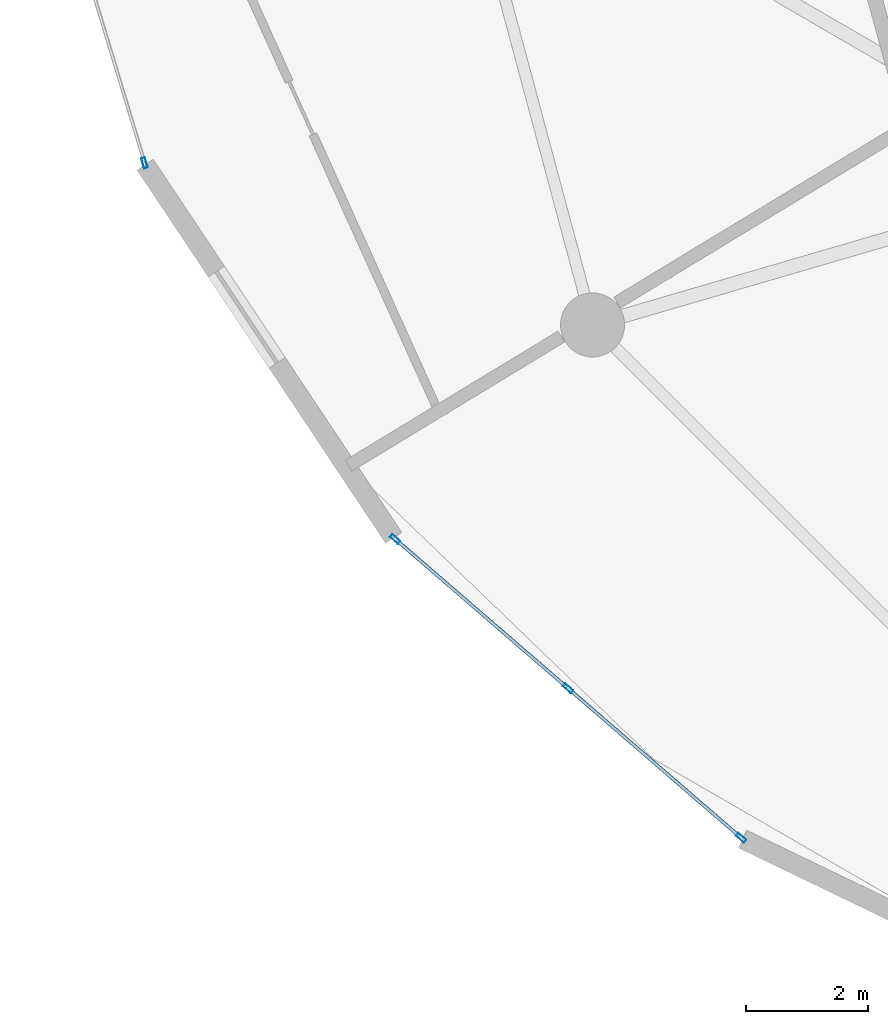
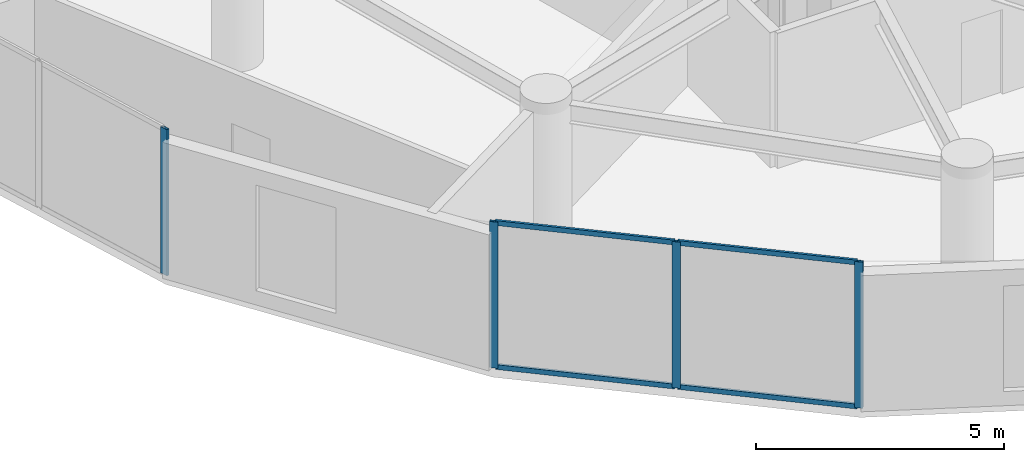
# One storey, part 2 of 26: 8 members, 2 elements without a shape of their own.
"""IFC4 building model written with IfcOpenShell, lengths in metres."""

from ifc_helpers import new_model, si_unit, direction, frame, origin, origin_2d, place, context, subcontext, project, spatial, hollow_rectangle, extrude, source, transform, mapped, material, layer, layer_set, material_profile, profile_set, type_object, element, aggregate, save


model = new_model("IFC4")

# Units and contexts
model_context = context("Model", 3, precision=1e-05, world=origin(), true_north=direction((0.0, 1.0)))
body_context = subcontext(model_context, "Body", "Model", "MODEL_VIEW")
ifc_project = project(units=[si_unit("LENGTHUNIT", "METRE"), si_unit("AREAUNIT", "SQUARE_METRE"), si_unit("VOLUMEUNIT", "CUBIC_METRE"), si_unit("PLANEANGLEUNIT", "RADIAN"), si_unit("MASSUNIT", "GRAM", prefix="KILO")], contexts=[model_context])

# Site, building, storey
site_placement = place(None, origin())
site = spatial("IfcSite", under=ifc_project, at=site_placement, CompositionType="ELEMENT")
building_placement = place(site_placement, origin())
building = spatial("IfcBuilding", under=site, at=building_placement, Name="Solvirekh Grand Hotel", CompositionType="ELEMENT")
storey_placement = place(building_placement, frame((0.0, 0.0, 113.39990234375)))
storey = spatial("IfcBuildingStorey", under=building, at=storey_placement, Name="L28", CompositionType="ELEMENT", Elevation=113.39990234375)

# Curtain wall, member
ifc_material = material(Name="Anodized Bronze Aluminium 6063-T6", Category="aluminium")
ifc_layer = layer(ifc_material, 0.175048828125)
ifc_layer_set = layer_set([ifc_layer], Name="Anodized Bronze Aluminium 6063-T6")
curtain_wall_type = type_object("IfcCurtainWallType", Name="CW_Sys3_MidZoneFlushBronzeCW", PredefinedType="NOTDEFINED", material=ifc_layer_set)
curtain_wall_1_placement = place(storey_placement, origin())
curtain_wall_1 = element("IfcCurtainWall", 1, at=curtain_wall_1_placement, inside=storey, type_object=curtain_wall_type, Name="L28 unitised bronze-glass curtain wall CW-L28-C13", PredefinedType="NOTDEFINED")
ifc_material_profile_1 = material_profile(ifc_material, hollow_rectangle(XDim=0.06494140625, YDim=0.175048828125, WallThickness=0.0048828125, at=origin_2d()), Name="ALU RHS 175X65X5")
ifc_profile_set_1 = profile_set([ifc_material_profile_1], Name="Anodized Bronze Aluminium 6063-T6")
member_type_1 = type_object("IfcMemberType", Name="CWMullion_Sys3", PredefinedType="MULLION", material=ifc_profile_set_1)
shared_shape_1 = source(origin(), body_context, "Body", "SweptSolid", [
    extrude(hollow_rectangle(XDim=0.06494140625, YDim=0.175048828125, WallThickness=0.0048828125, at=origin_2d()), origin(), (0.0, 0.0, 1.0), 3.60009765625),
])
member_1_placement = place(storey_placement, frame((-22.0654296875, -5.843017578125, 0.0), z_axis=(0.0, 0.0, 1.0), x_axis=(0.957023201108, 0.290011366226, 0.0)))
member_1 = element("IfcMember", 2, at=member_1_placement, type_object=member_type_1, Name="U03 mullion 3", PredefinedType="MULLION", context=body_context, shape_type="MappedRepresentation", body=[
    mapped(shared_shape_1, transform((0.0, 0.0, 0.0), x_axis=(1.0, 0.0, 0.0), y_axis=(0.0, 1.0, 0.0), z_axis=(0.0, 0.0, 1.0), scale=1.0)),
])
aggregate(curtain_wall_1, [member_1])

# Curtain wall, members
curtain_wall_2_placement = place(storey_placement, origin())
curtain_wall_2 = element("IfcCurtainWall", 3, at=curtain_wall_2_placement, inside=storey, type_object=curtain_wall_type, Name="L28 unitised bronze-glass curtain wall CW-L28-C15", PredefinedType="NOTDEFINED")
member_2_placement = place(storey_placement, frame((-17.95849609375, -12.00927734375, 0.0), z_axis=(0.0, 0.0, 1.0), x_axis=(0.653630202765, 0.756814084193, 0.0)))
member_2 = element("IfcMember", 4, at=member_2_placement, type_object=member_type_1, Name="U03 mullion 1", PredefinedType="MULLION", context=body_context, shape_type="MappedRepresentation", body=[
    mapped(shared_shape_1, transform((0.0, 0.0, 0.0), x_axis=(1.0, 0.0, 0.0), y_axis=(0.0, 1.0, 0.0), z_axis=(0.0, 0.0, 1.0), scale=1.0)),
])
member_3_placement = place(storey_placement, frame((-15.12255859375, -14.45849609375, 0.0), z_axis=(0.0, 0.0, 1.0), x_axis=(0.653630202765, 0.756814084193, 0.0)))
member_3 = element("IfcMember", 5, at=member_3_placement, type_object=member_type_1, Name="U03 mullion 2", PredefinedType="MULLION", context=body_context, shape_type="MappedRepresentation", body=[
    mapped(shared_shape_1, transform((0.0, 0.0, 0.0), x_axis=(1.0, 0.0, 0.0), y_axis=(0.0, 1.0, 0.0), z_axis=(0.0, 0.0, 1.0), scale=1.0)),
])
member_4_placement = place(storey_placement, frame((-12.28662109375, -16.90771484375, 0.0), z_axis=(0.0, 0.0, 1.0), x_axis=(0.653630202765, 0.756814084193, 0.0)))
member_4 = element("IfcMember", 6, at=member_4_placement, type_object=member_type_1, Name="U03 mullion 3", PredefinedType="MULLION", context=body_context, shape_type="MappedRepresentation", body=[
    mapped(shared_shape_1, transform((0.0, 0.0, 0.0), x_axis=(1.0, 0.0, 0.0), y_axis=(0.0, 1.0, 0.0), z_axis=(0.0, 0.0, 1.0), scale=1.0)),
])
ifc_material_profile_2 = material_profile(ifc_material, hollow_rectangle(XDim=0.054931640625, YDim=0.1201171875, WallThickness=0.00390625, at=origin_2d()), Name="ALU RHS 120X55X4")
ifc_profile_set_2 = profile_set([ifc_material_profile_2], Name="Anodized Bronze Aluminium 6063-T6")
member_type_2 = type_object("IfcMemberType", Name="CWTransom_Sys3", PredefinedType="USERDEFINED", material=ifc_profile_set_2)
shared_shape_2 = source(origin(), body_context, "Body", "SweptSolid", [
    extrude(hollow_rectangle(XDim=0.054931640625, YDim=0.1201171875, WallThickness=0.00390625, at=origin_2d()), origin(), (0.0, 0.0, 1.0), 3.68212890625),
])
member_5_placement = place(storey_placement, frame((-17.933837890625, -12.030517578125, 0.027587890625), z_axis=(0.7568080987, -0.653637133081, 0.0), x_axis=(0.653637133081, 0.7568080987, 0.0)))
member_5 = element("IfcMember", 7, at=member_5_placement, type_object=member_type_2, Name="U03 transom 1.1", ObjectType="TRANSOM", PredefinedType="USERDEFINED", context=body_context, shape_type="MappedRepresentation", body=[
    mapped(shared_shape_2, transform((0.0, 0.0, 0.0), x_axis=(1.0, 0.0, 0.0), y_axis=(0.0, 1.0, 0.0), z_axis=(0.0, 0.0, 1.0), scale=1.0)),
])
member_6_placement = place(storey_placement, frame((-17.933837890625, -12.030517578125, 3.572509765625), z_axis=(0.7568080987, -0.653637133081, 0.0), x_axis=(0.653637133081, 0.7568080987, 0.0)))
member_6 = element("IfcMember", 8, at=member_6_placement, type_object=member_type_2, Name="U03 transom 1.2", ObjectType="TRANSOM", PredefinedType="USERDEFINED", context=body_context, shape_type="MappedRepresentation", body=[
    mapped(shared_shape_2, transform((0.0, 0.0, 0.0), x_axis=(1.0, 0.0, 0.0), y_axis=(0.0, 1.0, 0.0), z_axis=(0.0, 0.0, 1.0), scale=1.0)),
])
member_7_placement = place(storey_placement, frame((-15.097900390625, -14.479736328125, 0.027587890625), z_axis=(0.7568080987, -0.653637133081, 0.0), x_axis=(0.653637133081, 0.7568080987, 0.0)))
member_7 = element("IfcMember", 9, at=member_7_placement, type_object=member_type_2, Name="U03 transom 2.1", ObjectType="TRANSOM", PredefinedType="USERDEFINED", context=body_context, shape_type="MappedRepresentation", body=[
    mapped(shared_shape_2, transform((0.0, 0.0, 0.0), x_axis=(1.0, 0.0, 0.0), y_axis=(0.0, 1.0, 0.0), z_axis=(0.0, 0.0, 1.0), scale=1.0)),
])
member_8_placement = place(storey_placement, frame((-15.097900390625, -14.479736328125, 3.572509765625), z_axis=(0.7568080987, -0.653637133081, 0.0), x_axis=(0.653637133081, 0.7568080987, 0.0)))
member_8 = element("IfcMember", 10, at=member_8_placement, type_object=member_type_2, Name="U03 transom 2.2", ObjectType="TRANSOM", PredefinedType="USERDEFINED", context=body_context, shape_type="MappedRepresentation", body=[
    mapped(shared_shape_2, transform((0.0, 0.0, 0.0), x_axis=(1.0, 0.0, 0.0), y_axis=(0.0, 1.0, 0.0), z_axis=(0.0, 0.0, 1.0), scale=1.0)),
])
aggregate(curtain_wall_2, [member_2, member_3, member_4, member_5, member_6, member_7, member_8])

save(model, "model.ifc")
